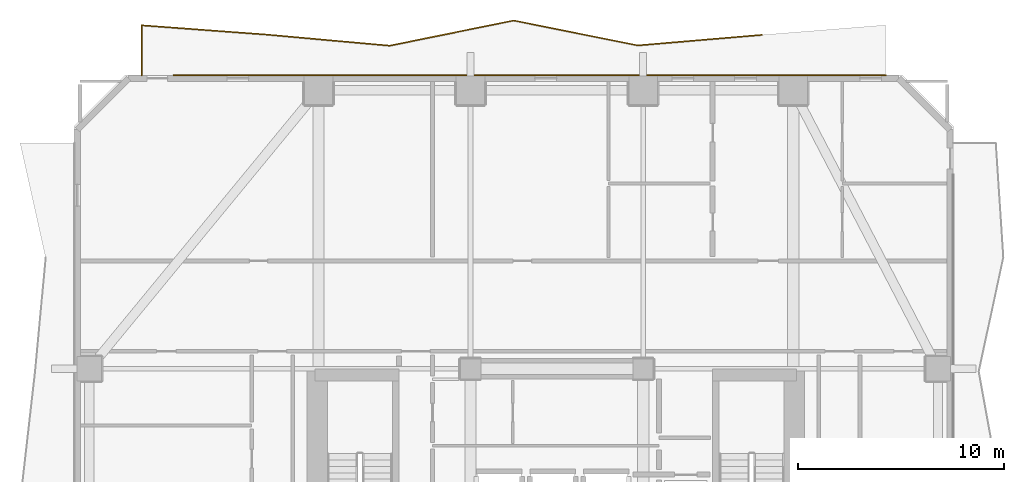
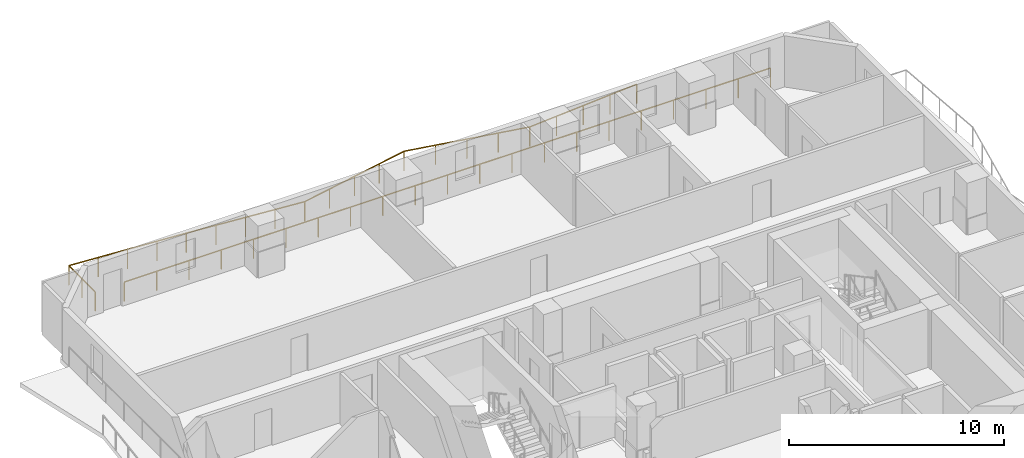
# One storey, part 10 of 10: 2 railings.
"""IFC4 building model written with IfcOpenShell, lengths in metres."""

from ifc_helpers import new_model, si_unit, direction, frame, origin, origin_2d, place, context, subcontext, project, spatial, rectangle, extrude, material, type_object, element, save


model = new_model("IFC4")

# Units and contexts
model_context = context("Model", 3, precision=1e-05, world=origin(), true_north=direction((0.0, 1.0)))
body_context = subcontext(model_context, "Body", "Model", "MODEL_VIEW")
ifc_project = project(units=[si_unit("LENGTHUNIT", "METRE"), si_unit("AREAUNIT", "SQUARE_METRE"), si_unit("VOLUMEUNIT", "CUBIC_METRE"), si_unit("PLANEANGLEUNIT", "RADIAN"), si_unit("MASSUNIT", "GRAM", prefix="KILO")], contexts=[model_context])

# Site, building, storey
site_placement = place(None, origin())
site = spatial("IfcSite", under=ifc_project, at=site_placement, CompositionType="ELEMENT")
building_placement = place(site_placement, origin())
building = spatial("IfcBuilding", under=site, at=building_placement, Name="Solanera Arch Residences", CompositionType="ELEMENT")
storey_placement = place(building_placement, frame((0.0, 0.0, 102.760009765625)))
storey = spatial("IfcBuildingStorey", under=building, at=storey_placement, Name="L29", CompositionType="ELEMENT", Elevation=102.760009765625)

# Railings
ifc_material = material(Name="Steel S355 (ASTM A992 / A572 Grade 50)", Category="steel")
railing_type = type_object("IfcRailingType", Name="Balustrade Railing BL-1100", PredefinedType="BALUSTRADE", material=ifc_material)
railing_1_placement = place(storey_placement, frame((34.967041015625, 55.64892578125, 0.0)))
element("IfcRailing", 1, at=railing_1_placement, inside=storey, type_object=railing_type, Name="L29 N Balcony Balustrade 1", PredefinedType="BALUSTRADE", context=body_context, shape_type="SweptSolid", body=[
    extrude(rectangle(XDim=0.048095703125, YDim=0.048095703125, at=origin_2d()), frame((0.0, 0.0, 1.09619140625), z_axis=(-0.996433362851, -0.084383371574, 0.0), x_axis=(0.084383371574, -0.996433362851, 0.0)), (0.0, 0.0, 1.0), 6.055419921875),
    extrude(rectangle(XDim=0.048095703125, YDim=0.048095703125, at=origin_2d()), frame((-6.033935546875, -0.510986328125, 1.09619140625), z_axis=(-0.980407870204, 0.196978191792, 0.0), x_axis=(-0.196978191792, -0.980407870204, 0.0)), (0.0, 0.0, 1.0), 6.15380859375),
    extrude(rectangle(XDim=0.048095703125, YDim=0.048095703125, at=origin_2d()), frame((-12.067138671875, 0.701171875, 1.09619140625), z_axis=(-0.979998318289, -0.199005769138, 0.0), x_axis=(0.199005769138, -0.979998318289, 0.0)), (0.0, 0.0, 1.0), 6.156005859375),
    extrude(rectangle(XDim=0.048095703125, YDim=0.048095703125, at=origin_2d()), frame((-18.10009765625, -0.52392578125, 1.09619140625), z_axis=(-0.995975697946, 0.089623708365, 0.0), x_axis=(-0.089623708365, -0.995975697946, 0.0)), (0.0, 0.0, 1.0), 6.058349609375),
    extrude(rectangle(XDim=0.048095703125, YDim=0.048095703125, at=origin_2d()), frame((-24.134033203125, 0.01904296875, 1.09619140625), z_axis=(-0.997266102481, 0.073893983798, 0.0), x_axis=(-0.073893983798, -0.997266102481, 0.0)), (0.0, 0.0, 1.0), 6.049560546875),
    extrude(rectangle(XDim=0.048095703125, YDim=0.048095703125, at=origin_2d()), frame((-30.1669921875, 0.466064453125, 1.09619140625), z_axis=(0.0, -1.0, 0.0), x_axis=(1.0, 0.0, 0.0)), (0.0, 0.0, 1.0), 2.43505859375),
    extrude(rectangle(XDim=0.0419921875, YDim=0.0419921875, at=origin_2d()), origin(), (0.0, 0.0, 1.0), 1.072021484375),
    extrude(rectangle(XDim=0.0419921875, YDim=0.0419921875, at=origin_2d()), frame((-1.508544921875, -0.127685546875, 0.0)), (0.0, 0.0, 1.0), 1.072021484375),
    extrude(rectangle(XDim=0.0419921875, YDim=0.0419921875, at=origin_2d()), frame((-3.01708984375, -0.25537109375, 0.0)), (0.0, 0.0, 1.0), 1.072021484375),
    extrude(rectangle(XDim=0.0419921875, YDim=0.0419921875, at=origin_2d()), frame((-4.525390625, -0.38330078125, 0.0)), (0.0, 0.0, 1.0), 1.072021484375),
    extrude(rectangle(XDim=0.0419921875, YDim=0.0419921875, at=origin_2d()), frame((-6.033935546875, -0.510986328125, 0.0)), (0.0, 0.0, 1.0), 1.072021484375),
    extrude(rectangle(XDim=0.0419921875, YDim=0.0419921875, at=origin_2d()), frame((-7.542236328125, -0.2080078125, 0.0)), (0.0, 0.0, 1.0), 1.072021484375),
    extrude(rectangle(XDim=0.0419921875, YDim=0.0419921875, at=origin_2d()), frame((-9.050537109375, 0.09521484375, 0.0)), (0.0, 0.0, 1.0), 1.072021484375),
    extrude(rectangle(XDim=0.0419921875, YDim=0.0419921875, at=origin_2d()), frame((-10.558837890625, 0.398193359375, 0.0)), (0.0, 0.0, 1.0), 1.072021484375),
    extrude(rectangle(XDim=0.0419921875, YDim=0.0419921875, at=origin_2d()), frame((-12.067138671875, 0.701171875, 0.0)), (0.0, 0.0, 1.0), 1.072021484375),
    extrude(rectangle(XDim=0.0419921875, YDim=0.0419921875, at=origin_2d()), frame((-13.575439453125, 0.39501953125, 0.0)), (0.0, 0.0, 1.0), 1.072021484375),
    extrude(rectangle(XDim=0.0419921875, YDim=0.0419921875, at=origin_2d()), frame((-15.08349609375, 0.088623046875, 0.0)), (0.0, 0.0, 1.0), 1.072021484375),
    extrude(rectangle(XDim=0.0419921875, YDim=0.0419921875, at=origin_2d()), frame((-16.591796875, -0.2177734375, 0.0)), (0.0, 0.0, 1.0), 1.072021484375),
    extrude(rectangle(XDim=0.0419921875, YDim=0.0419921875, at=origin_2d()), frame((-18.10009765625, -0.52392578125, 0.0)), (0.0, 0.0, 1.0), 1.072021484375),
    extrude(rectangle(XDim=0.0419921875, YDim=0.0419921875, at=origin_2d()), frame((-19.608642578125, -0.38818359375, 0.0)), (0.0, 0.0, 1.0), 1.072021484375),
    extrude(rectangle(XDim=0.0419921875, YDim=0.0419921875, at=origin_2d()), frame((-21.1171875, -0.25244140625, 0.0)), (0.0, 0.0, 1.0), 1.072021484375),
    extrude(rectangle(XDim=0.0419921875, YDim=0.0419921875, at=origin_2d()), frame((-22.62548828125, -0.11669921875, 0.0)), (0.0, 0.0, 1.0), 1.072021484375),
    extrude(rectangle(XDim=0.0419921875, YDim=0.0419921875, at=origin_2d()), frame((-24.134033203125, 0.01904296875, 0.0)), (0.0, 0.0, 1.0), 1.072021484375),
    extrude(rectangle(XDim=0.0419921875, YDim=0.0419921875, at=origin_2d()), frame((-25.642333984375, 0.130859375, 0.0)), (0.0, 0.0, 1.0), 1.072021484375),
    extrude(rectangle(XDim=0.0419921875, YDim=0.0419921875, at=origin_2d()), frame((-27.150390625, 0.24267578125, 0.0)), (0.0, 0.0, 1.0), 1.072021484375),
    extrude(rectangle(XDim=0.0419921875, YDim=0.0419921875, at=origin_2d()), frame((-28.65869140625, 0.354248046875, 0.0)), (0.0, 0.0, 1.0), 1.072021484375),
    extrude(rectangle(XDim=0.0419921875, YDim=0.0419921875, at=origin_2d()), frame((-30.1669921875, 0.466064453125, 0.0)), (0.0, 0.0, 1.0), 1.072021484375),
    extrude(rectangle(XDim=0.0419921875, YDim=0.0419921875, at=origin_2d()), frame((-30.1669921875, -0.75146484375, 0.0)), (0.0, 0.0, 1.0), 1.072021484375),
    extrude(rectangle(XDim=0.0419921875, YDim=0.0419921875, at=origin_2d()), frame((-30.1669921875, -1.968994140625, 0.0)), (0.0, 0.0, 1.0), 1.072021484375),
])
railing_2_placement = place(storey_placement, frame((6.365966796875, 53.679931640625, 0.0)))
element("IfcRailing", 2, at=railing_2_placement, inside=storey, type_object=railing_type, Name="L29 N Balcony Balustrade 2", PredefinedType="BALUSTRADE", context=body_context, shape_type="SweptSolid", body=[
    extrude(rectangle(XDim=0.048095703125, YDim=0.048095703125, at=origin_2d()), frame((0.0, 0.0, 1.09619140625), z_axis=(1.0, 0.0, 0.0), x_axis=(0.0, 1.0, 0.0)), (0.0, 0.0, 1.0), 34.634033203125),
    extrude(rectangle(XDim=0.0419921875, YDim=0.0419921875, at=origin_2d()), origin(), (0.0, 0.0, 1.0), 1.072021484375),
    extrude(rectangle(XDim=0.0419921875, YDim=0.0419921875, at=origin_2d()), frame((1.731689453125, 0.0, 0.0)), (0.0, 0.0, 1.0), 1.072021484375),
    extrude(rectangle(XDim=0.0419921875, YDim=0.0419921875, at=origin_2d()), frame((3.46337890625, 0.0, 0.0)), (0.0, 0.0, 1.0), 1.072021484375),
    extrude(rectangle(XDim=0.0419921875, YDim=0.0419921875, at=origin_2d()), frame((5.195068359375, 0.0, 0.0)), (0.0, 0.0, 1.0), 1.072021484375),
    extrude(rectangle(XDim=0.0419921875, YDim=0.0419921875, at=origin_2d()), frame((6.9267578125, 0.0, 0.0)), (0.0, 0.0, 1.0), 1.072021484375),
    extrude(rectangle(XDim=0.0419921875, YDim=0.0419921875, at=origin_2d()), frame((8.658447265625, 0.0, 0.0)), (0.0, 0.0, 1.0), 1.072021484375),
    extrude(rectangle(XDim=0.0419921875, YDim=0.0419921875, at=origin_2d()), frame((10.39013671875, 0.0, 0.0)), (0.0, 0.0, 1.0), 1.072021484375),
    extrude(rectangle(XDim=0.0419921875, YDim=0.0419921875, at=origin_2d()), frame((12.121826171875, 0.0, 0.0)), (0.0, 0.0, 1.0), 1.072021484375),
    extrude(rectangle(XDim=0.0419921875, YDim=0.0419921875, at=origin_2d()), frame((13.853515625, 0.0, 0.0)), (0.0, 0.0, 1.0), 1.072021484375),
    extrude(rectangle(XDim=0.0419921875, YDim=0.0419921875, at=origin_2d()), frame((15.585205078125, 0.0, 0.0)), (0.0, 0.0, 1.0), 1.072021484375),
    extrude(rectangle(XDim=0.0419921875, YDim=0.0419921875, at=origin_2d()), frame((17.31689453125, 0.0, 0.0)), (0.0, 0.0, 1.0), 1.072021484375),
    extrude(rectangle(XDim=0.0419921875, YDim=0.0419921875, at=origin_2d()), frame((19.048828125, 0.0, 0.0)), (0.0, 0.0, 1.0), 1.072021484375),
    extrude(rectangle(XDim=0.0419921875, YDim=0.0419921875, at=origin_2d()), frame((20.780517578125, 0.0, 0.0)), (0.0, 0.0, 1.0), 1.072021484375),
    extrude(rectangle(XDim=0.0419921875, YDim=0.0419921875, at=origin_2d()), frame((22.51220703125, 0.0, 0.0)), (0.0, 0.0, 1.0), 1.072021484375),
    extrude(rectangle(XDim=0.0419921875, YDim=0.0419921875, at=origin_2d()), frame((24.243896484375, 0.0, 0.0)), (0.0, 0.0, 1.0), 1.072021484375),
    extrude(rectangle(XDim=0.0419921875, YDim=0.0419921875, at=origin_2d()), frame((25.9755859375, 0.0, 0.0)), (0.0, 0.0, 1.0), 1.072021484375),
    extrude(rectangle(XDim=0.0419921875, YDim=0.0419921875, at=origin_2d()), frame((27.707275390625, 0.0, 0.0)), (0.0, 0.0, 1.0), 1.072021484375),
    extrude(rectangle(XDim=0.0419921875, YDim=0.0419921875, at=origin_2d()), frame((29.43896484375, 0.0, 0.0)), (0.0, 0.0, 1.0), 1.072021484375),
    extrude(rectangle(XDim=0.0419921875, YDim=0.0419921875, at=origin_2d()), frame((31.170654296875, 0.0, 0.0)), (0.0, 0.0, 1.0), 1.072021484375),
    extrude(rectangle(XDim=0.0419921875, YDim=0.0419921875, at=origin_2d()), frame((32.90234375, 0.0, 0.0)), (0.0, 0.0, 1.0), 1.072021484375),
    extrude(rectangle(XDim=0.0419921875, YDim=0.0419921875, at=origin_2d()), frame((34.634033203125, 0.0, 0.0)), (0.0, 0.0, 1.0), 1.072021484375),
])

save(model, "model.ifc")
